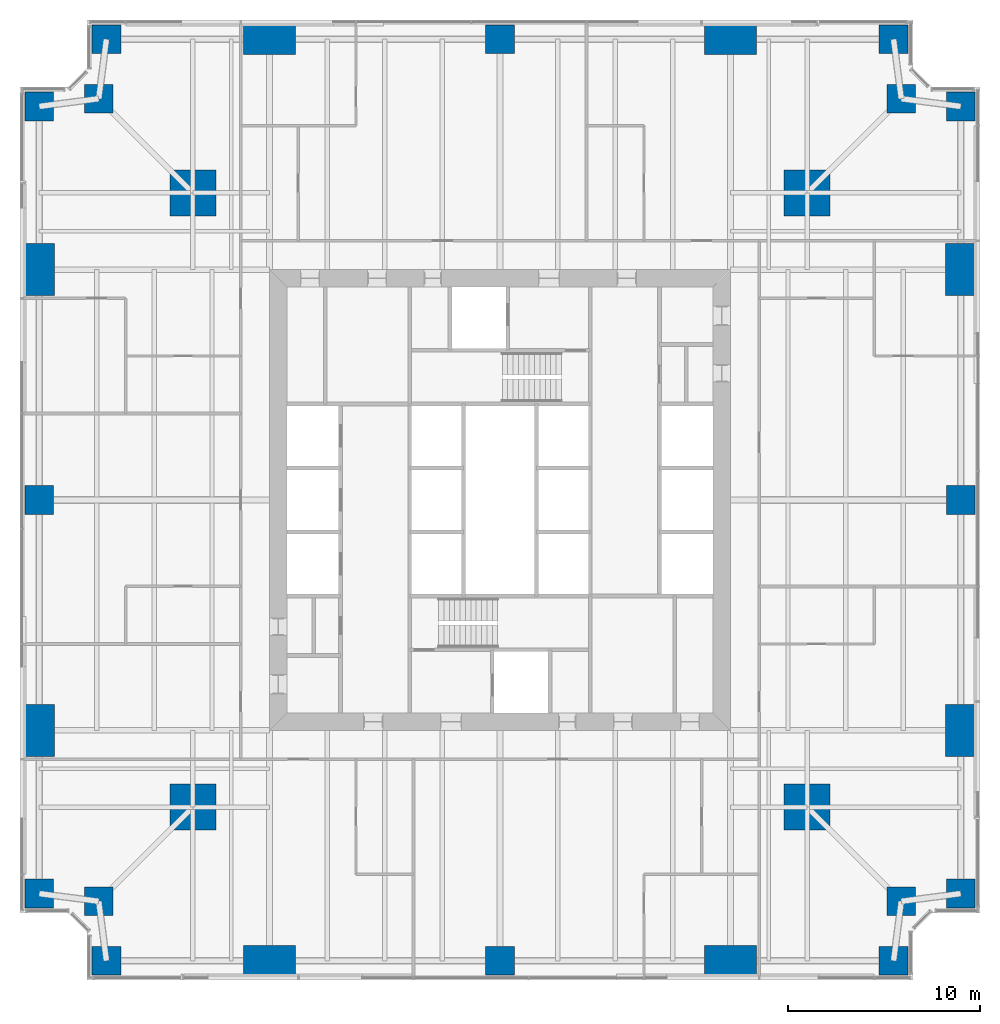
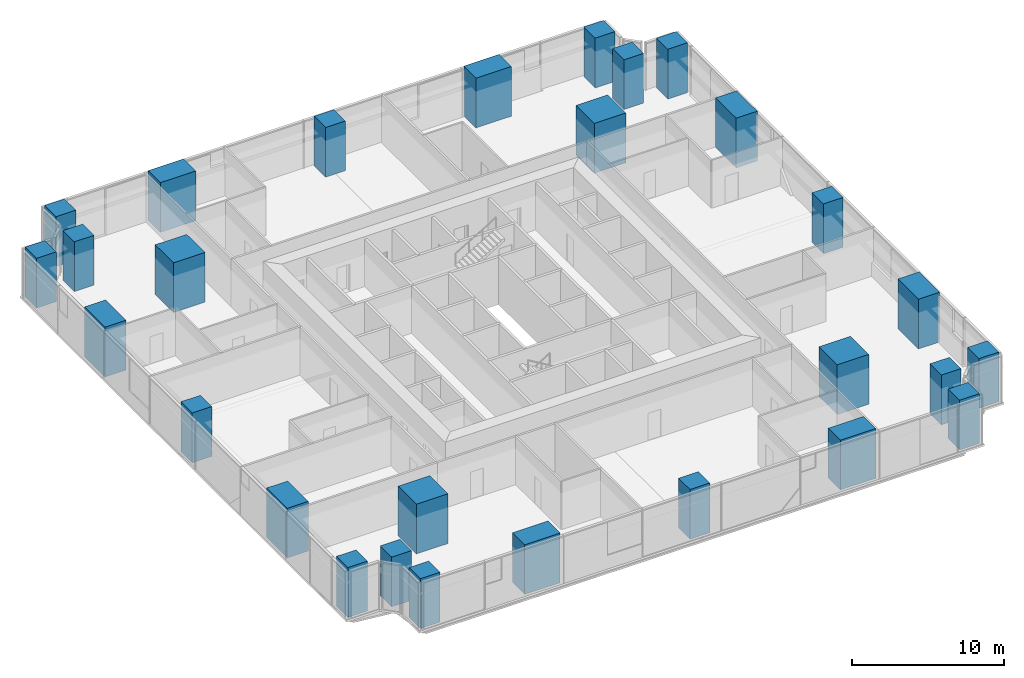
# One storey, part 1 of 15: 28 columns.
"""IFC4 building model written with IfcOpenShell, lengths in metres."""

from ifc_helpers import new_model, si_unit, direction, frame, origin, origin_2d, place, context, subcontext, project, spatial, rectangle, extrude, material, material_profile, profile_set, type_object, element, save


model = new_model("IFC4")

# Units and contexts
model_context = context("Model", 3, precision=1e-05, world=origin(), true_north=direction((0.0, 1.0)))
body_context = subcontext(model_context, "Body", "Model", "MODEL_VIEW")
ifc_project = project(units=[si_unit("LENGTHUNIT", "METRE"), si_unit("AREAUNIT", "SQUARE_METRE"), si_unit("VOLUMEUNIT", "CUBIC_METRE"), si_unit("PLANEANGLEUNIT", "RADIAN"), si_unit("MASSUNIT", "GRAM", prefix="KILO")], contexts=[model_context])

# Site, building, storey
site_placement = place(None, origin())
site = spatial("IfcSite", under=ifc_project, at=site_placement, CompositionType="ELEMENT")
building_placement = place(site_placement, origin())
building = spatial("IfcBuilding", under=site, at=building_placement, Name="Fenwick Lantern Interchange", CompositionType="ELEMENT")
storey_placement = place(building_placement, frame((0.0, 0.0, 51.0)))
storey = spatial("IfcBuildingStorey", under=building, at=storey_placement, Name="L11", CompositionType="ELEMENT", Elevation=51.0)

# Columns
ifc_material = material(Name="Concrete f'c 70 MPa", Category="concrete")
ifc_material_profile_1 = material_profile(ifc_material, rectangle(XDim=2.39990234375, YDim=2.39990234375, at=origin_2d()), Name="RC2400X2400")
ifc_profile_set_1 = profile_set([ifc_material_profile_1], Name="Concrete f'c 70 MPa")
column_type_1 = type_object("IfcColumnType", Name="MEGA COLUMN RC2400X2400", PredefinedType="COLUMN", material=ifc_profile_set_1)
for number, where, z_axis, x_axis, name in (
    (1, (9.0, 9.0, 0.0), (0.0, 0.0, 1.0), (1.0, 0.0, 0.0), "L11/M1"),
    (2, (41.0, 9.0, 0.0), (0.0, 0.0, 1.0), (1.0, 0.0, 0.0), "L11/M2"),
    (3, (41.0, 41.0, 0.0), (0.0, 0.0, 1.0), (1.0, 0.0, 0.0), "L11/M3"),
    (4, (9.0, 41.0, 0.0), (0.0, 0.0, 1.0), (1.0, 0.0, 0.0), "L11/M4"),
):
    element("IfcColumn", number, at=place(storey_placement, frame(where, z_axis=z_axis, x_axis=x_axis)), inside=storey, type_object=column_type_1, Name=name, PredefinedType="COLUMN", context=body_context, shape_type="SweptSolid", body=[
        extrude(rectangle(XDim=2.39990234375, YDim=2.39990234375, at=origin_2d()), origin(), (0.0, 0.0, 1.0), 4.0),
    ])
ifc_material_profile_2 = material_profile(ifc_material, rectangle(XDim=1.5, YDim=1.5, at=origin_2d()), Name="RC1500X1500")
ifc_profile_set_2 = profile_set([ifc_material_profile_2], Name="Concrete f'c 70 MPa")
column_type_2 = type_object("IfcColumnType", Name="PERIMETER COLUMN RC1500X1500", PredefinedType="COLUMN", material=ifc_profile_set_2)
for number, where, z_axis, x_axis, name in (
    (5, (4.5, 1.0, 0.0), (0.0, 0.0, 1.0), (1.0, 0.0, 0.0), "L11/CS1"),
    (6, (25.0, 1.0, 0.0), (0.0, 0.0, 1.0), (1.0, 0.0, 0.0), "L11/CS3"),
    (7, (45.5, 1.0, 0.0), (0.0, 0.0, 1.0), (1.0, 0.0, 0.0), "L11/CS5"),
    (8, (45.89990234375, 4.10009765625, 0.0), (0.0, 0.0, 1.0), (1.0, 0.0, 0.0), "L11/CSR"),
    (9, (49.0, 4.5, 0.0), (0.0, 0.0, 1.0), (1.0, 0.0, 0.0), "L11/CE1"),
    (10, (49.0, 25.0, 0.0), (0.0, 0.0, 1.0), (1.0, 0.0, 0.0), "L11/CE3"),
    (11, (49.0, 45.5, 0.0), (0.0, 0.0, 1.0), (1.0, 0.0, 0.0), "L11/CE5"),
    (12, (45.89990234375, 45.89990234375, 0.0), (0.0, 0.0, 1.0), (1.0, 0.0, 0.0), "L11/CER"),
    (13, (45.5, 49.0, 0.0), (0.0, 0.0, 1.0), (1.0, 0.0, 0.0), "L11/CN1"),
    (14, (25.0, 49.0, 0.0), (0.0, 0.0, 1.0), (1.0, 0.0, 0.0), "L11/CN3"),
    (15, (4.5, 49.0, 0.0), (0.0, 0.0, 1.0), (1.0, 0.0, 0.0), "L11/CN5"),
    (16, (4.10009765625, 45.89990234375, 0.0), (0.0, 0.0, 1.0), (1.0, 0.0, 0.0), "L11/CNR"),
    (17, (1.0, 45.5, 0.0), (0.0, 0.0, 1.0), (1.0, 0.0, 0.0), "L11/CW1"),
    (18, (1.0, 25.0, 0.0), (0.0, 0.0, 1.0), (1.0, 0.0, 0.0), "L11/CW3"),
    (19, (1.0, 4.5, 0.0), (0.0, 0.0, 1.0), (1.0, 0.0, 0.0), "L11/CW5"),
    (20, (4.10009765625, 4.10009765625, 0.0), (0.0, 0.0, 1.0), (1.0, 0.0, 0.0), "L11/CWR"),
):
    element("IfcColumn", number, at=place(storey_placement, frame(where, z_axis=z_axis, x_axis=x_axis)), inside=storey, type_object=column_type_2, Name=name, PredefinedType="COLUMN", context=body_context, shape_type="SweptSolid", body=[
        extrude(rectangle(XDim=1.5, YDim=1.5, at=origin_2d()), origin(), (0.0, 0.0, 1.0), 4.0),
    ])
ifc_material_profile_3 = material_profile(ifc_material, rectangle(XDim=1.60009765625, YDim=2.699951171875, at=origin_2d()), Name="RC1600X2700")
ifc_profile_set_3 = profile_set([ifc_material_profile_3], Name="Concrete f'c 70 MPa")
column_type_3 = type_object("IfcColumnType", Name="PERIMETER COLUMN RC1600X2700", PredefinedType="COLUMN", material=ifc_profile_set_3)
for number, where, z_axis, x_axis, name in (
    (21, (49.0, 13.0, 0.0), (0.0, 0.0, 1.0), (1.0, 0.0, 0.0), "L11/CE2"),
    (22, (49.0, 37.0, 0.0), (0.0, 0.0, 1.0), (1.0, 0.0, 0.0), "L11/CE4"),
    (23, (1.0, 37.0, 0.0), (0.0, 0.0, 1.0), (1.0, 0.0, 0.0), "L11/CW2"),
    (24, (1.0, 13.0, 0.0), (0.0, 0.0, 1.0), (1.0, 0.0, 0.0), "L11/CW4"),
):
    element("IfcColumn", number, at=place(storey_placement, frame(where, z_axis=z_axis, x_axis=x_axis)), inside=storey, type_object=column_type_3, Name=name, PredefinedType="COLUMN", context=body_context, shape_type="SweptSolid", body=[
        extrude(rectangle(XDim=1.60009765625, YDim=2.699951171875, at=origin_2d()), origin(), (0.0, 0.0, 1.0), 4.0),
    ])
ifc_material_profile_4 = material_profile(ifc_material, rectangle(XDim=2.699951171875, YDim=1.60009765625, at=origin_2d()), Name="RC2700X1600")
ifc_profile_set_4 = profile_set([ifc_material_profile_4], Name="Concrete f'c 70 MPa")
column_type_4 = type_object("IfcColumnType", Name="PERIMETER COLUMN RC2700X1600", PredefinedType="COLUMN", material=ifc_profile_set_4)
for number, where, z_axis, x_axis, name in (
    (25, (13.0, 1.0, 0.0), (0.0, 0.0, 1.0), (1.0, 0.0, 0.0), "L11/CS2"),
    (26, (37.0, 1.0, 0.0), (0.0, 0.0, 1.0), (1.0, 0.0, 0.0), "L11/CS4"),
    (27, (37.0, 49.0, 0.0), (0.0, 0.0, 1.0), (1.0, 0.0, 0.0), "L11/CN2"),
    (28, (13.0, 49.0, 0.0), (0.0, 0.0, 1.0), (1.0, 0.0, 0.0), "L11/CN4"),
):
    element("IfcColumn", number, at=place(storey_placement, frame(where, z_axis=z_axis, x_axis=x_axis)), inside=storey, type_object=column_type_4, Name=name, PredefinedType="COLUMN", context=body_context, shape_type="SweptSolid", body=[
        extrude(rectangle(XDim=2.699951171875, YDim=1.60009765625, at=origin_2d()), origin(), (0.0, 0.0, 1.0), 4.0),
    ])

save(model, "model.ifc")
